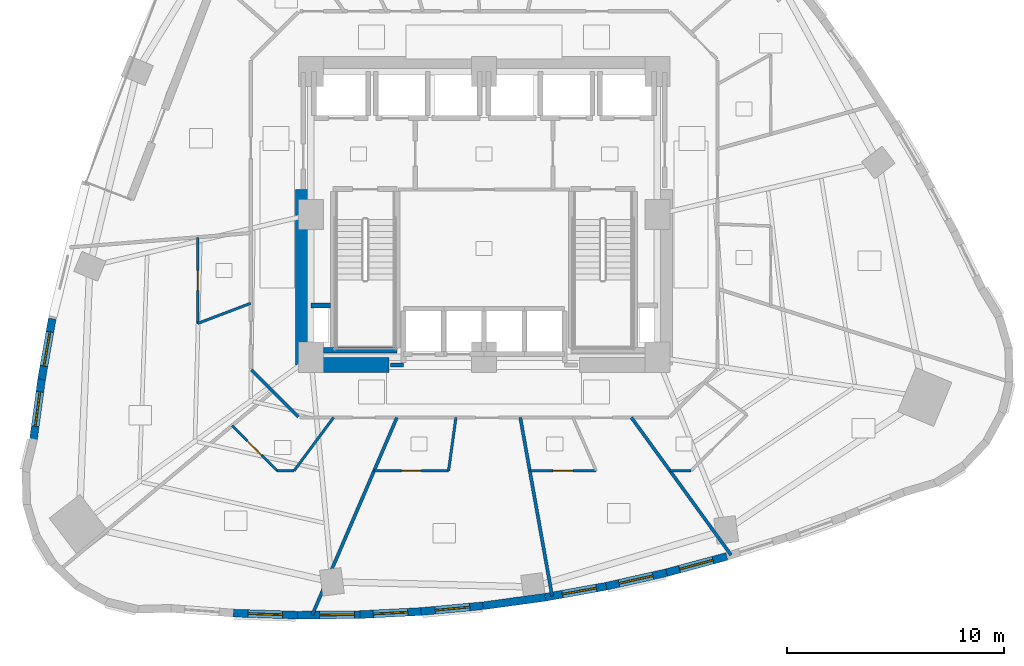
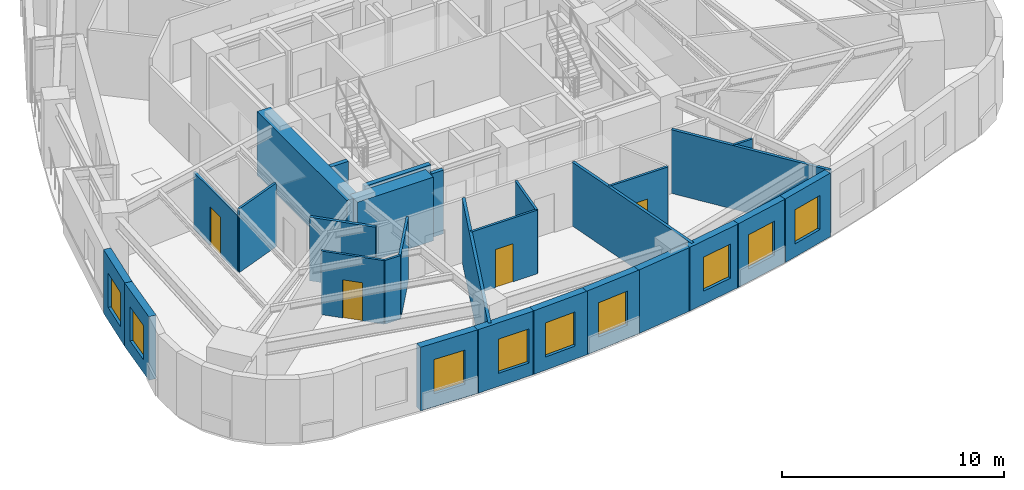
# One storey, part 5 of 12: 28 walls, 9 windows, 4 doors, 13 openings.
"""IFC4 building model written with IfcOpenShell, lengths in metres."""

from ifc_helpers import new_model, si_unit, direction, frame, frame_2d, origin, place, context, subcontext, project, spatial, rectangle, extrude, material, layer, layer_set, type_object, element, fill, save


model = new_model("IFC4")

# Units and contexts
model_context = context("Model", 3, precision=1e-05, world=origin(), true_north=direction((0.0, 1.0)))
body_context = subcontext(model_context, "Body", "Model", "MODEL_VIEW")
ifc_project = project(units=[si_unit("LENGTHUNIT", "METRE"), si_unit("AREAUNIT", "SQUARE_METRE"), si_unit("VOLUMEUNIT", "CUBIC_METRE"), si_unit("PLANEANGLEUNIT", "RADIAN"), si_unit("MASSUNIT", "GRAM", prefix="KILO")], contexts=[model_context])

# Site, building, storey
site_placement = place(None, origin())
site = spatial("IfcSite", under=ifc_project, at=site_placement, CompositionType="ELEMENT")
building_placement = place(site_placement, origin())
building = spatial("IfcBuilding", under=site, at=building_placement, Name="Ndelora Gate Hotel", CompositionType="ELEMENT")
storey_placement = place(building_placement, frame((0.0, 0.0, 60.5)))
storey = spatial("IfcBuildingStorey", under=building, at=storey_placement, Name="L14", CompositionType="ELEMENT", Elevation=60.5)

# Wall, opening, window
ifc_material_1 = material(Name="Clay Brick Masonry", Category="masonry")
ifc_layer_1 = layer(ifc_material_1, 0.360107421875)
ifc_layer_set_1 = layer_set([ifc_layer_1], Name="Clay Brick Masonry")
wall_type_1 = type_object("IfcWallType", Name="WL-BRICK-360", PredefinedType="SOLIDWALL", material=ifc_layer_set_1)
wall_1_placement = place(storey_placement, frame((-20.43359375, -7.6171875, 0.0), z_axis=(0.0, 0.0, 1.0), x_axis=(0.173085595545, 0.984906785749, 0.0)))
wall_1 = element("IfcWall", 1, at=wall_1_placement, inside=storey, type_object=wall_type_1, Name="L14 Tower Brick Pier-and-Spandrel Wall TWR-17", PredefinedType="SOLIDWALL", context=body_context, shape_type="SweptSolid", body=[
    extrude(rectangle(XDim=2.846435546875, YDim=0.360107421875, at=frame_2d((1.42333984375, 0.0))), origin(), (0.0, 0.0, 1.0), 3.5),
])
opening_1_placement = place(wall_1_placement, frame((0.623291015625, 0.0, 0.719970703125)))
opening_1 = element("IfcOpeningElement", 2, at=opening_1_placement, cuts=wall_1, Name="Opening W03", PredefinedType="OPENING", context=body_context, shape_type="SweptSolid", body=[
    extrude(rectangle(XDim=1.60009765625, YDim=1.8798828125, at=frame_2d((0.800048828125, 0.93994140625))), frame((0.0, 0.18994140625, 0.0), z_axis=(0.0, -1.0, 0.0), x_axis=(1.0, 0.0, 0.0)), (0.0, 0.0, 1.0), 0.380126953125),
])
ifc_material_2 = material(Name="Insulated Low-E Double Glazing in Bronze Aluminium Frame", Category="aluminium")
window_type_1 = type_object("IfcWindowType", Name="WN-CORN-2100", PartitioningType="SINGLE_PANEL", PredefinedType="WINDOW", material=ifc_material_2)
window_1_placement = place(opening_1_placement, origin())
window_1 = element("IfcWindow", 3, at=window_1_placement, inside=storey, type_object=window_type_1, Name="L14 Deep-Set Brick-Pier Window W03", OverallHeight=1.8798828125, OverallWidth=1.60009765625, PartitioningType="SINGLE_PANEL", PredefinedType="WINDOW", context=body_context, shape_type="SweptSolid", body=[
    extrude(rectangle(XDim=1.60009765625, YDim=1.8798828125, at=frame_2d((0.800048828125, 0.93994140625))), frame((0.0, 0.030029296875, 0.0), z_axis=(0.0, -1.0, 0.0), x_axis=(1.0, 0.0, 0.0)), (0.0, 0.0, 1.0), 0.06005859375),
])
fill(opening_1, window_1)

wall_2_placement = place(storey_placement, frame((-20.811767578125, -10.411865234375, 0.0), z_axis=(0.0, 0.0, 1.0), x_axis=(0.134391985669, 0.990928248759, 0.0)))
wall_2 = element("IfcWall", 4, at=wall_2_placement, inside=storey, type_object=wall_type_1, Name="L14 Tower Brick Pier-and-Spandrel Wall TWR-18", PredefinedType="SOLIDWALL", context=body_context, shape_type="SweptSolid", body=[
    extrude(rectangle(XDim=2.870361328125, YDim=0.360107421875, at=frame_2d((1.43505859375, 0.0))), origin(), (0.0, 0.0, 1.0), 3.5),
])
opening_2_placement = place(wall_2_placement, frame((0.635009765625, 0.0, 0.719970703125)))
opening_2 = element("IfcOpeningElement", 5, at=opening_2_placement, cuts=wall_2, Name="Opening W01", PredefinedType="OPENING", context=body_context, shape_type="SweptSolid", body=[
    extrude(rectangle(XDim=1.60009765625, YDim=1.8798828125, at=frame_2d((0.800048828125, 0.93994140625))), frame((0.0, 0.18994140625, 0.0), z_axis=(0.0, -1.0, 0.0), x_axis=(1.0, 0.0, 0.0)), (0.0, 0.0, 1.0), 0.380126953125),
])
window_type_2 = type_object("IfcWindowType", Name="WN-DEEP-1600", PartitioningType="SINGLE_PANEL", PredefinedType="WINDOW", material=ifc_material_2)
window_2_placement = place(opening_2_placement, origin())
window_2 = element("IfcWindow", 6, at=window_2_placement, inside=storey, type_object=window_type_2, Name="L14 Deep-Set Brick-Pier Window W01", OverallHeight=1.8798828125, OverallWidth=1.60009765625, PartitioningType="SINGLE_PANEL", PredefinedType="WINDOW", context=body_context, shape_type="SweptSolid", body=[
    extrude(rectangle(XDim=1.60009765625, YDim=1.8798828125, at=frame_2d((0.800048828125, 0.93994140625))), frame((0.0, 0.030029296875, 0.0), z_axis=(0.0, -1.0, 0.0), x_axis=(1.0, 0.0, 0.0)), (0.0, 0.0, 1.0), 0.06005859375),
])
fill(opening_2, window_2)

wall_3_placement = place(storey_placement, frame((-8.622314453125, -18.507568359375, 0.0), z_axis=(0.0, 0.0, 1.0), x_axis=(-0.999456194292, 0.032974470283, 0.0)))
wall_3 = element("IfcWall", 7, at=wall_3_placement, inside=storey, type_object=wall_type_1, Name="L14 Tower Brick Pier-and-Spandrel Wall TWR-28", PredefinedType="SOLIDWALL", context=body_context, shape_type="SweptSolid", body=[
    extrude(rectangle(XDim=2.961669921875, YDim=0.360107421875, at=frame_2d((1.48095703125, 0.0))), origin(), (0.0, 0.0, 1.0), 3.5),
])
opening_3_placement = place(wall_3_placement, frame((0.6806640625, 0.0, 0.719970703125)))
opening_3 = element("IfcOpeningElement", 8, at=opening_3_placement, cuts=wall_3, Name="Opening W01", PredefinedType="OPENING", context=body_context, shape_type="SweptSolid", body=[
    extrude(rectangle(XDim=1.60009765625, YDim=1.8798828125, at=frame_2d((0.800048828125, 0.93994140625))), frame((0.0, 0.18994140625, 0.0), z_axis=(0.0, -1.0, 0.0), x_axis=(1.0, 0.0, 0.0)), (0.0, 0.0, 1.0), 0.380126953125),
])
window_3_placement = place(opening_3_placement, origin())
window_3 = element("IfcWindow", 9, at=window_3_placement, inside=storey, type_object=window_type_2, Name="L14 Deep-Set Brick-Pier Window W01", OverallHeight=1.8798828125, OverallWidth=1.60009765625, PartitioningType="SINGLE_PANEL", PredefinedType="WINDOW", context=body_context, shape_type="SweptSolid", body=[
    extrude(rectangle(XDim=1.60009765625, YDim=1.8798828125, at=frame_2d((0.800048828125, 0.93994140625))), frame((0.0, 0.030029296875, 0.0), z_axis=(0.0, -1.0, 0.0), x_axis=(1.0, 0.0, 0.0)), (0.0, 0.0, 1.0), 0.06005859375),
])
fill(opening_3, window_3)

wall_4_placement = place(storey_placement, frame((-5.731689453125, -18.481689453125, 0.0), z_axis=(0.0, 0.0, 1.0), x_axis=(-0.999962726619, -0.008633966257, 0.0)))
wall_4 = element("IfcWall", 10, at=wall_4_placement, inside=storey, type_object=wall_type_1, Name="L14 Tower Brick Pier-and-Spandrel Wall TWR-29", PredefinedType="SOLIDWALL", context=body_context, shape_type="SweptSolid", body=[
    extrude(rectangle(XDim=2.940673828125, YDim=0.360107421875, at=frame_2d((1.47021484375, 0.0))), origin(), (0.0, 0.0, 1.0), 3.5),
])
opening_4_placement = place(wall_4_placement, frame((0.260009765625, 0.0, 0.719970703125)))
opening_4 = element("IfcOpeningElement", 11, at=opening_4_placement, cuts=wall_4, Name="Opening W03", PredefinedType="OPENING", context=body_context, shape_type="SweptSolid", body=[
    extrude(rectangle(XDim=1.60009765625, YDim=1.8798828125, at=frame_2d((0.800048828125, 0.93994140625))), frame((0.0, 0.18994140625, 0.0), z_axis=(0.0, -1.0, 0.0), x_axis=(1.0, 0.0, 0.0)), (0.0, 0.0, 1.0), 0.380126953125),
])
window_4_placement = place(opening_4_placement, origin())
window_4 = element("IfcWindow", 12, at=window_4_placement, inside=storey, type_object=window_type_1, Name="L14 Deep-Set Brick-Pier Window W03", OverallHeight=1.8798828125, OverallWidth=1.60009765625, PartitioningType="SINGLE_PANEL", PredefinedType="WINDOW", context=body_context, shape_type="SweptSolid", body=[
    extrude(rectangle(XDim=1.60009765625, YDim=1.8798828125, at=frame_2d((0.800048828125, 0.93994140625))), frame((0.0, 0.030029296875, 0.0), z_axis=(0.0, -1.0, 0.0), x_axis=(1.0, 0.0, 0.0)), (0.0, 0.0, 1.0), 0.06005859375),
])
fill(opening_4, window_4)

wall_5_placement = place(storey_placement, frame((-2.860107421875, -18.335205078125, 0.0), z_axis=(0.0, 0.0, 1.0), x_axis=(-0.998716074647, -0.050657696775, 0.0)))
wall_5 = element("IfcWall", 13, at=wall_5_placement, inside=storey, type_object=wall_type_1, Name="L14 Tower Brick Pier-and-Spandrel Wall TWR-30", PredefinedType="SOLIDWALL", context=body_context, shape_type="SweptSolid", body=[
    extrude(rectangle(XDim=2.92529296875, YDim=0.360107421875, at=frame_2d((1.462646484375, 0.0))), origin(), (0.0, 0.0, 1.0), 3.5),
])
opening_5_placement = place(wall_5_placement, frame((0.66259765625, 0.0, 0.719970703125)))
opening_5 = element("IfcOpeningElement", 14, at=opening_5_placement, cuts=wall_5, Name="Opening W01", PredefinedType="OPENING", context=body_context, shape_type="SweptSolid", body=[
    extrude(rectangle(XDim=1.60009765625, YDim=1.8798828125, at=frame_2d((0.800048828125, 0.93994140625))), frame((0.0, 0.18994140625, 0.0), z_axis=(0.0, -1.0, 0.0), x_axis=(1.0, 0.0, 0.0)), (0.0, 0.0, 1.0), 0.380126953125),
])
window_5_placement = place(opening_5_placement, origin())
window_5 = element("IfcWindow", 15, at=window_5_placement, inside=storey, type_object=window_type_2, Name="L14 Deep-Set Brick-Pier Window W01", OverallHeight=1.8798828125, OverallWidth=1.60009765625, PartitioningType="SINGLE_PANEL", PredefinedType="WINDOW", context=body_context, shape_type="SweptSolid", body=[
    extrude(rectangle(XDim=1.60009765625, YDim=1.8798828125, at=frame_2d((0.800048828125, 0.93994140625))), frame((0.0, 0.030029296875, 0.0), z_axis=(0.0, -1.0, 0.0), x_axis=(1.0, 0.0, 0.0)), (0.0, 0.0, 1.0), 0.06005859375),
])
fill(opening_5, window_5)

wall_6_placement = place(storey_placement, frame((-0.0078125, -18.068115234375, 0.0), z_axis=(0.0, 0.0, 1.0), x_axis=(-0.995676208467, -0.092891807453, 0.0)))
wall_6 = element("IfcWall", 16, at=wall_6_placement, inside=storey, type_object=wall_type_1, Name="L14 Tower Brick Pier-and-Spandrel Wall TWR-31", PredefinedType="SOLIDWALL", context=body_context, shape_type="SweptSolid", body=[
    extrude(rectangle(XDim=2.914794921875, YDim=0.360107421875, at=frame_2d((1.45751953125, 0.0))), origin(), (0.0, 0.0, 1.0), 3.5),
])
opening_6_placement = place(wall_6_placement, frame((0.657470703125, 0.0, 0.719970703125)))
opening_6 = element("IfcOpeningElement", 17, at=opening_6_placement, cuts=wall_6, Name="Opening W01", PredefinedType="OPENING", context=body_context, shape_type="SweptSolid", body=[
    extrude(rectangle(XDim=1.60009765625, YDim=1.8798828125, at=frame_2d((0.800048828125, 0.93994140625))), frame((0.0, 0.18994140625, 0.0), z_axis=(0.0, -1.0, 0.0), x_axis=(1.0, 0.0, 0.0)), (0.0, 0.0, 1.0), 0.380126953125),
])
window_6_placement = place(opening_6_placement, origin())
window_6 = element("IfcWindow", 18, at=window_6_placement, inside=storey, type_object=window_type_2, Name="L14 Deep-Set Brick-Pier Window W01", OverallHeight=1.8798828125, OverallWidth=1.60009765625, PartitioningType="SINGLE_PANEL", PredefinedType="WINDOW", context=body_context, shape_type="SweptSolid", body=[
    extrude(rectangle(XDim=1.60009765625, YDim=1.8798828125, at=frame_2d((0.800048828125, 0.93994140625))), frame((0.0, 0.030029296875, 0.0), z_axis=(0.0, -1.0, 0.0), x_axis=(1.0, 0.0, 0.0)), (0.0, 0.0, 1.0), 0.06005859375),
])
fill(opening_6, window_6)

# Wall
wall_7_placement = place(storey_placement, frame((2.82568359375, -17.68017578125, 0.0), z_axis=(0.0, 0.0, 1.0), x_axis=(-0.990811267406, -0.13525173707, 0.0)))
element("IfcWall", 19, at=wall_7_placement, inside=storey, type_object=wall_type_1, Name="L14 Tower Brick Pier-and-Spandrel Wall TWR-32", PredefinedType="SOLIDWALL", context=body_context, shape_type="SweptSolid", body=[
    extrude(rectangle(XDim=2.909912109375, YDim=0.360107421875, at=frame_2d((1.455078125, 0.0))), origin(), (0.0, 0.0, 1.0), 3.5),
])

# Wall, opening, window
wall_8_placement = place(storey_placement, frame((5.6396484375, -17.17138671875, 0.0), z_axis=(0.0, 0.0, 1.0), x_axis=(-0.984113321651, -0.177541460364, 0.0)))
wall_8 = element("IfcWall", 20, at=wall_8_placement, inside=storey, type_object=wall_type_1, Name="L14 Tower Brick Pier-and-Spandrel Wall TWR-33", PredefinedType="SOLIDWALL", context=body_context, shape_type="SweptSolid", body=[
    extrude(rectangle(XDim=2.90966796875, YDim=0.360107421875, at=frame_2d((1.454833984375, 0.0))), origin(), (0.0, 0.0, 1.0), 3.5),
])
opening_7_placement = place(wall_8_placement, frame((0.4599609375, 0.0, 0.719970703125)))
opening_7 = element("IfcOpeningElement", 21, at=opening_7_placement, cuts=wall_8, Name="Opening W03", PredefinedType="OPENING", context=body_context, shape_type="SweptSolid", body=[
    extrude(rectangle(XDim=1.60009765625, YDim=1.8798828125, at=frame_2d((0.800048828125, 0.93994140625))), frame((0.0, 0.18994140625, 0.0), z_axis=(0.0, -1.0, 0.0), x_axis=(1.0, 0.0, 0.0)), (0.0, 0.0, 1.0), 0.380126953125),
])
window_7_placement = place(opening_7_placement, origin())
window_7 = element("IfcWindow", 22, at=window_7_placement, inside=storey, type_object=window_type_1, Name="L14 Deep-Set Brick-Pier Window W03", OverallHeight=1.8798828125, OverallWidth=1.60009765625, PartitioningType="SINGLE_PANEL", PredefinedType="WINDOW", context=body_context, shape_type="SweptSolid", body=[
    extrude(rectangle(XDim=1.60009765625, YDim=1.8798828125, at=frame_2d((0.800048828125, 0.93994140625))), frame((0.0, 0.030029296875, 0.0), z_axis=(0.0, -1.0, 0.0), x_axis=(1.0, 0.0, 0.0)), (0.0, 0.0, 1.0), 0.06005859375),
])
fill(opening_7, window_7)

wall_9_placement = place(storey_placement, frame((8.4345703125, -16.5419921875, 0.0), z_axis=(0.0, 0.0, 1.0), x_axis=(-0.975646064216, -0.219350763343, 0.0)))
wall_9 = element("IfcWall", 23, at=wall_9_placement, inside=storey, type_object=wall_type_1, Name="L14 Tower Brick Pier-and-Spandrel Wall TWR-34", PredefinedType="SOLIDWALL", context=body_context, shape_type="SweptSolid", body=[
    extrude(rectangle(XDim=2.9150390625, YDim=0.360107421875, at=frame_2d((1.45751953125, 0.0))), origin(), (0.0, 0.0, 1.0), 3.5),
])
opening_8_placement = place(wall_9_placement, frame((0.657470703125, 0.0, 0.719970703125)))
opening_8 = element("IfcOpeningElement", 24, at=opening_8_placement, cuts=wall_9, Name="Opening W01", PredefinedType="OPENING", context=body_context, shape_type="SweptSolid", body=[
    extrude(rectangle(XDim=1.60009765625, YDim=1.8798828125, at=frame_2d((0.800048828125, 0.93994140625))), frame((0.0, 0.18994140625, 0.0), z_axis=(0.0, -1.0, 0.0), x_axis=(1.0, 0.0, 0.0)), (0.0, 0.0, 1.0), 0.380126953125),
])
window_8_placement = place(opening_8_placement, origin())
window_8 = element("IfcWindow", 25, at=window_8_placement, inside=storey, type_object=window_type_2, Name="L14 Deep-Set Brick-Pier Window W01", OverallHeight=1.8798828125, OverallWidth=1.60009765625, PartitioningType="SINGLE_PANEL", PredefinedType="WINDOW", context=body_context, shape_type="SweptSolid", body=[
    extrude(rectangle(XDim=1.60009765625, YDim=1.8798828125, at=frame_2d((0.800048828125, 0.93994140625))), frame((0.0, 0.030029296875, 0.0), z_axis=(0.0, -1.0, 0.0), x_axis=(1.0, 0.0, 0.0)), (0.0, 0.0, 1.0), 0.06005859375),
])
fill(opening_8, window_8)

wall_10_placement = place(storey_placement, frame((11.210205078125, -15.7919921875, 0.0), z_axis=(0.0, 0.0, 1.0), x_axis=(-0.965457640719, -0.260560058292, 0.0)))
wall_10 = element("IfcWall", 26, at=wall_10_placement, inside=storey, type_object=wall_type_1, Name="L14 Tower Brick Pier-and-Spandrel Wall TWR-35", PredefinedType="SOLIDWALL", context=body_context, shape_type="SweptSolid", body=[
    extrude(rectangle(XDim=2.92529296875, YDim=0.360107421875, at=frame_2d((1.462646484375, 0.0))), origin(), (0.0, 0.0, 1.0), 3.5),
])
opening_9_placement = place(wall_10_placement, frame((0.66259765625, 0.0, 0.719970703125)))
opening_9 = element("IfcOpeningElement", 27, at=opening_9_placement, cuts=wall_10, Name="Opening W01", PredefinedType="OPENING", context=body_context, shape_type="SweptSolid", body=[
    extrude(rectangle(XDim=1.60009765625, YDim=1.8798828125, at=frame_2d((0.800048828125, 0.93994140625))), frame((0.0, 0.18994140625, 0.0), z_axis=(0.0, -1.0, 0.0), x_axis=(1.0, 0.0, 0.0)), (0.0, 0.0, 1.0), 0.380126953125),
])
window_9_placement = place(opening_9_placement, origin())
window_9 = element("IfcWindow", 28, at=window_9_placement, inside=storey, type_object=window_type_2, Name="L14 Deep-Set Brick-Pier Window W01", OverallHeight=1.8798828125, OverallWidth=1.60009765625, PartitioningType="SINGLE_PANEL", PredefinedType="WINDOW", context=body_context, shape_type="SweptSolid", body=[
    extrude(rectangle(XDim=1.60009765625, YDim=1.8798828125, at=frame_2d((0.800048828125, 0.93994140625))), frame((0.0, 0.030029296875, 0.0), z_axis=(0.0, -1.0, 0.0), x_axis=(1.0, 0.0, 0.0)), (0.0, 0.0, 1.0), 0.06005859375),
])
fill(opening_9, window_9)

# Walls
ifc_material_3 = material(Name="Concrete C60/75", Category="concrete")
ifc_layer_2 = layer(ifc_material_3, 0.699951171875)
ifc_layer_set_2 = layer_set([ifc_layer_2], Name="Concrete C60/75")
wall_type_2 = type_object("IfcWallType", Name="WL-CORE-700", PredefinedType="SHEAR", material=ifc_layer_set_2)
wall_11_placement = place(storey_placement, frame((-8.35009765625, -6.949951171875, 0.0), z_axis=(0.0, 0.0, 1.0), x_axis=(1.0, 0.0, 0.0)))
element("IfcWall", 29, at=wall_11_placement, inside=storey, type_object=wall_type_2, Name="L14 Core Shear Wall S-W", PredefinedType="SHEAR", context=body_context, shape_type="SweptSolid", body=[
    extrude(rectangle(XDim=3.9501953125, YDim=0.699951171875, at=frame_2d((1.97509765625, 0.0))), origin(), (0.0, 0.0, 1.0), 3.5),
])
wall_12_placement = place(storey_placement, frame((-8.35009765625, -6.949951171875, 0.0), z_axis=(0.0, 0.0, 1.0), x_axis=(0.0, 1.0, 0.0)))
element("IfcWall", 30, at=wall_12_placement, inside=storey, type_object=wall_type_2, Name="L14 Core Shear Wall W", PredefinedType="SHEAR", context=body_context, shape_type="SweptSolid", body=[
    extrude(rectangle(XDim=8.099853515625, YDim=0.699951171875, at=frame_2d((4.0498046875, 0.0))), origin(), (0.0, 0.0, 1.0), 3.5),
])
ifc_material_4 = material(Name="Concrete C40/50", Category="concrete")
ifc_layer_3 = layer(ifc_material_4, 0.199951171875)
ifc_layer_set_3 = layer_set([ifc_layer_3], Name="Concrete C40/50")
wall_type_3 = type_object("IfcWallType", Name="WL-FIRE-200", PredefinedType="PARTITIONING", material=ifc_layer_set_3)
wall_13_placement = place(storey_placement, frame((-4.320068359375, -6.949951171875, 0.0), z_axis=(0.0, 0.0, 1.0), x_axis=(1.0, 0.0, 0.0)))
element("IfcWall", 31, at=wall_13_placement, inside=storey, type_object=wall_type_3, Name="L14 Interior Wall IW-2", PredefinedType="PARTITIONING", context=body_context, shape_type="SweptSolid", body=[
    extrude(rectangle(XDim=0.60009765625, YDim=0.199951171875, at=frame_2d((0.300048828125, 0.0))), origin(), (0.0, 0.0, 1.0), 3.5),
])
ifc_material_5 = material(Name="Fire-Rated Gypsum Stud Partition", Category="gypsum")
ifc_layer_4 = layer(ifc_material_5, 0.14990234375)
ifc_layer_set_4 = layer_set([ifc_layer_4], Name="Fire-Rated Gypsum Stud Partition")
wall_type_4 = type_object("IfcWallType", Name="WL-PART-150", PredefinedType="PARTITIONING", material=ifc_layer_set_4)
wall_14_placement = place(storey_placement, frame((-8.578369140625, -9.351806640625, 0.0), z_axis=(0.0, 0.0, 1.0), x_axis=(-0.707067066127, 0.707146494016, 0.0)))
element("IfcWall", 32, at=wall_14_placement, inside=storey, type_object=wall_type_4, Name="L14 Interior Wall IW-5", PredefinedType="PARTITIONING", context=body_context, shape_type="SweptSolid", body=[
    extrude(rectangle(XDim=3.07373046875, YDim=0.14990234375, at=frame_2d((1.536865234375, 0.0))), origin(), (0.0, 0.0, 1.0), 3.5),
])
wall_15_placement = place(storey_placement, frame((-4.024658203125, -9.3798828125, 0.0), z_axis=(0.0, 0.0, 1.0), x_axis=(-0.394293336578, -0.918984637919, 0.0)))
element("IfcWall", 33, at=wall_15_placement, inside=storey, type_object=wall_type_4, Name="L14 Interior Wall IW-5", PredefinedType="PARTITIONING", context=body_context, shape_type="SweptSolid", body=[
    extrude(rectangle(XDim=9.9248046875, YDim=0.14990234375, at=frame_2d((4.96240234375, 0.0))), origin(), (0.0, 0.0, 1.0), 3.5),
])
wall_16_placement = place(storey_placement, frame((1.672607421875, -9.3798828125, 0.0), z_axis=(0.0, 0.0, 1.0), x_axis=(0.175581709481, -0.984464861382, 0.0)))
element("IfcWall", 34, at=wall_16_placement, inside=storey, type_object=wall_type_4, Name="L14 Interior Wall IW-5", PredefinedType="PARTITIONING", context=body_context, shape_type="SweptSolid", body=[
    extrude(rectangle(XDim=8.3720703125, YDim=0.14990234375, at=frame_2d((4.18603515625, 0.0))), origin(), (0.0, 0.0, 1.0), 3.5),
])
wall_17_placement = place(storey_placement, frame((6.802490234375, -9.3798828125, 0.0), z_axis=(0.0, 0.0, 1.0), x_axis=(0.587042045372, -0.809556444583, 0.0)))
element("IfcWall", 35, at=wall_17_placement, inside=storey, type_object=wall_type_4, Name="L14 Interior Wall IW-5", PredefinedType="PARTITIONING", context=body_context, shape_type="SweptSolid", body=[
    extrude(rectangle(XDim=7.8427734375, YDim=0.14990234375, at=frame_2d((3.92138671875, 0.0))), origin(), (0.0, 0.0, 1.0), 3.5),
])
ifc_layer_5 = layer(ifc_material_4, 0.219970703125)
ifc_layer_set_5 = layer_set([ifc_layer_5], Name="Concrete C40/50")
wall_type_5 = type_object("IfcWallType", Name="WL-SHAFT-220", PredefinedType="PARTITIONING", material=ifc_layer_set_5)
wall_18_placement = place(storey_placement, frame((-8.0, -4.199951171875, 0.0), z_axis=(0.0, 0.0, 1.0), x_axis=(1.0, 0.0, 0.0)))
element("IfcWall", 36, at=wall_18_placement, inside=storey, type_object=wall_type_5, Name="L14 Interior Wall IW-1", PredefinedType="PARTITIONING", context=body_context, shape_type="SweptSolid", body=[
    extrude(rectangle(XDim=0.909912109375, YDim=0.219970703125, at=frame_2d((0.455078125, 0.0))), origin(), (0.0, 0.0, 1.0), 3.5),
])
ifc_material_6 = material(Name="Concrete C50/60", Category="concrete")
ifc_layer_6 = layer(ifc_material_6, 0.239990234375)
ifc_layer_set_6 = layer_set([ifc_layer_6], Name="Concrete C50/60")
wall_type_6 = type_object("IfcWallType", Name="WL-STAIR-240", PredefinedType="SHEAR", material=ifc_layer_set_6)
wall_19_placement = place(storey_placement, frame((-7.425048828125, -6.27001953125, 0.0), z_axis=(0.0, 0.0, 1.0), x_axis=(1.0, 0.0, 0.0)))
element("IfcWall", 37, at=wall_19_placement, inside=storey, type_object=wall_type_6, Name="L14 Stair Core Shear Wall SW-ST", PredefinedType="SHEAR", context=body_context, shape_type="SweptSolid", body=[
    extrude(rectangle(XDim=3.4150390625, YDim=0.239990234375, at=frame_2d((1.70751953125, 0.0))), origin(), (0.0, 0.0, 1.0), 3.5),
])
ifc_material_7 = material(Name="Moisture-Resistant Bathroom Tile Partition", Category="gypsum")
ifc_layer_7 = layer(ifc_material_7, 0.1201171875)
ifc_layer_set_7 = layer_set([ifc_layer_7], Name="Moisture-Resistant Bathroom Tile Partition")
wall_type_7 = type_object("IfcWallType", Name="WL-WET-120", PredefinedType="PARTITIONING", material=ifc_layer_set_7)
wall_20_placement = place(storey_placement, frame((-10.780029296875, -4.103515625, 0.0), z_axis=(0.0, 0.0, 1.0), x_axis=(-0.93460718983, -0.355681600195, 0.0)))
element("IfcWall", 38, at=wall_20_placement, inside=storey, type_object=wall_type_7, Name="L14 Interior Wall IW-7", PredefinedType="PARTITIONING", context=body_context, shape_type="SweptSolid", body=[
    extrude(rectangle(XDim=2.621337890625, YDim=0.1201171875, at=frame_2d((1.310546875, 0.0))), origin(), (0.0, 0.0, 1.0), 3.5),
])

# Wall, opening, door
wall_21_placement = place(storey_placement, frame((-13.22998046875, -5.035888671875, 0.0), z_axis=(0.0, 0.0, 1.0), x_axis=(0.0, 1.0, 0.0)))
wall_21 = element("IfcWall", 39, at=wall_21_placement, inside=storey, type_object=wall_type_7, Name="L14 Interior Wall IW-7", PredefinedType="PARTITIONING", context=body_context, shape_type="SweptSolid", body=[
    extrude(rectangle(XDim=3.981689453125, YDim=0.1201171875, at=frame_2d((1.99072265625, 0.0))), origin(), (0.0, 0.0, 1.0), 3.1201171875),
])
opening_10_placement = place(wall_21_placement, frame((1.531005859375, 0.0, 0.0)))
opening_10 = element("IfcOpeningElement", 40, at=opening_10_placement, cuts=wall_21, Name="Opening D03", PredefinedType="OPENING", context=body_context, shape_type="SweptSolid", body=[
    extrude(rectangle(XDim=0.919921875, YDim=2.10009765625, at=frame_2d((0.4599609375, 1.050048828125))), frame((0.0, 0.070068359375, 0.0), z_axis=(0.0, -1.0, 0.0), x_axis=(1.0, 0.0, 0.0)), (0.0, 0.0, 1.0), 0.14013671875),
])
ifc_material_8 = material(Name="Moisture-Resistant Hardwood En-Suite Door", Category="wood")
door_type = type_object("IfcDoorType", Name="DR-BATH-920", OperationType="SINGLE_SWING_LEFT", PredefinedType="DOOR", material=ifc_material_8)
door_1_placement = place(opening_10_placement, origin())
door_1 = element("IfcDoor", 41, at=door_1_placement, inside=storey, type_object=door_type, Name="L14 En-suite Bathroom 1701 Door", OperationType="SINGLE_SWING_RIGHT", OverallHeight=2.10009765625, OverallWidth=0.919921875, PredefinedType="DOOR", context=body_context, shape_type="SweptSolid", body=[
    extrude(rectangle(XDim=0.919921875, YDim=2.10009765625, at=frame_2d((0.4599609375, 1.050048828125))), frame((0.0, 0.02490234375, 0.0), z_axis=(0.0, -1.0, 0.0), x_axis=(1.0, 0.0, 0.0)), (0.0, 0.0, 1.0), 0.050048828125),
])
fill(opening_10, door_1)

# Walls
wall_22_placement = place(storey_placement, frame((-8.76806640625, -11.830078125, 0.0), z_axis=(0.0, 0.0, 1.0), x_axis=(0.595378789074, 0.80344514282, 0.0)))
element("IfcWall", 42, at=wall_22_placement, inside=storey, type_object=wall_type_7, Name="L14 Interior Wall IW-7", PredefinedType="PARTITIONING", context=body_context, shape_type="SweptSolid", body=[
    extrude(rectangle(XDim=3.049560546875, YDim=0.1201171875, at=frame_2d((1.52490234375, 0.0))), origin(), (0.0, 0.0, 1.0), 3.5),
])
wall_23_placement = place(storey_placement, frame((-8.76806640625, -11.830078125, 0.0), z_axis=(0.0, 0.0, 1.0), x_axis=(-1.0, 0.0, 0.0)))
element("IfcWall", 43, at=wall_23_placement, inside=storey, type_object=wall_type_7, Name="L14 Interior Wall IW-7", PredefinedType="PARTITIONING", context=body_context, shape_type="SweptSolid", body=[
    extrude(rectangle(XDim=0.796630859375, YDim=0.1201171875, at=frame_2d((0.3984375, 0.0))), origin(), (0.0, 0.0, 1.0), 3.5),
])

# Wall, opening, door
wall_24_placement = place(storey_placement, frame((-9.564697265625, -11.830078125, 0.0), z_axis=(0.0, 0.0, 1.0), x_axis=(-0.707106781187, 0.707106781187, 0.0)))
wall_24 = element("IfcWall", 44, at=wall_24_placement, inside=storey, type_object=wall_type_7, Name="L14 Interior Wall IW-7", PredefinedType="PARTITIONING", context=body_context, shape_type="SweptSolid", body=[
    extrude(rectangle(XDim=2.9375, YDim=0.1201171875, at=frame_2d((1.46875, 0.0))), origin(), (0.0, 0.0, 1.0), 3.5),
])
opening_11_placement = place(wall_24_placement, frame((1.0087890625, 0.0, 0.0)))
opening_11 = element("IfcOpeningElement", 45, at=opening_11_placement, cuts=wall_24, Name="Opening D03", PredefinedType="OPENING", context=body_context, shape_type="SweptSolid", body=[
    extrude(rectangle(XDim=0.919921875, YDim=2.10009765625, at=frame_2d((0.4599609375, 1.050048828125))), frame((0.0, 0.070068359375, 0.0), z_axis=(0.0, -1.0, 0.0), x_axis=(1.0, 0.0, 0.0)), (0.0, 0.0, 1.0), 0.14013671875),
])
door_2_placement = place(opening_11_placement, origin())
door_2 = element("IfcDoor", 46, at=door_2_placement, inside=storey, type_object=door_type, Name="L14 En-suite Bathroom 1702 Door", OperationType="SINGLE_SWING_LEFT", OverallHeight=2.10009765625, OverallWidth=0.919921875, PredefinedType="DOOR", context=body_context, shape_type="SweptSolid", body=[
    extrude(rectangle(XDim=0.919921875, YDim=2.10009765625, at=frame_2d((0.4599609375, 1.050048828125))), frame((0.0, 0.02490234375, 0.0), z_axis=(0.0, -1.0, 0.0), x_axis=(1.0, 0.0, 0.0)), (0.0, 0.0, 1.0), 0.050048828125),
])
fill(opening_11, door_2)

# Wall
wall_25_placement = place(storey_placement, frame((-1.2998046875, -9.3798828125, 0.0), z_axis=(0.0, 0.0, 1.0), x_axis=(-0.137191795374, -0.990544502424, 0.0)))
element("IfcWall", 47, at=wall_25_placement, inside=storey, type_object=wall_type_7, Name="L14 Interior Wall IW-7", PredefinedType="PARTITIONING", context=body_context, shape_type="SweptSolid", body=[
    extrude(rectangle(XDim=2.4736328125, YDim=0.1201171875, at=frame_2d((1.23681640625, 0.0))), origin(), (0.0, 0.0, 1.0), 3.5),
])

# Wall, opening, door
wall_26_placement = place(storey_placement, frame((-1.63916015625, -11.830078125, 0.0), z_axis=(0.0, 0.0, 1.0), x_axis=(-1.0, 0.0, 0.0)))
wall_26 = element("IfcWall", 48, at=wall_26_placement, inside=storey, type_object=wall_type_7, Name="L14 Interior Wall IW-7", PredefinedType="PARTITIONING", context=body_context, shape_type="SweptSolid", body=[
    extrude(rectangle(XDim=3.4365234375, YDim=0.1201171875, at=frame_2d((1.71826171875, 0.0))), origin(), (0.0, 0.0, 1.0), 3.5),
])
opening_12_placement = place(wall_26_placement, frame((1.25830078125, 0.0, 0.0)))
opening_12 = element("IfcOpeningElement", 49, at=opening_12_placement, cuts=wall_26, Name="Opening D03", PredefinedType="OPENING", context=body_context, shape_type="SweptSolid", body=[
    extrude(rectangle(XDim=0.919921875, YDim=2.10009765625, at=frame_2d((0.4599609375, 1.050048828125))), frame((0.0, 0.070068359375, 0.0), z_axis=(0.0, -1.0, 0.0), x_axis=(1.0, 0.0, 0.0)), (0.0, 0.0, 1.0), 0.14013671875),
])
door_3_placement = place(opening_12_placement, origin())
door_3 = element("IfcDoor", 50, at=door_3_placement, inside=storey, type_object=door_type, Name="L14 En-suite Bathroom 1703 Door", OperationType="SINGLE_SWING_RIGHT", OverallHeight=2.10009765625, OverallWidth=0.919921875, PredefinedType="DOOR", context=body_context, shape_type="SweptSolid", body=[
    extrude(rectangle(XDim=0.919921875, YDim=2.10009765625, at=frame_2d((0.4599609375, 1.050048828125))), frame((0.0, 0.02490234375, 0.0), z_axis=(0.0, -1.0, 0.0), x_axis=(1.0, 0.0, 0.0)), (0.0, 0.0, 1.0), 0.050048828125),
])
fill(opening_12, door_3)

wall_27_placement = place(storey_placement, frame((5.171142578125, -11.830078125, 0.0), z_axis=(0.0, 0.0, 1.0), x_axis=(-1.0, 0.0, 0.0)))
wall_27 = element("IfcWall", 51, at=wall_27_placement, inside=storey, type_object=wall_type_7, Name="L14 Interior Wall IW-7", PredefinedType="PARTITIONING", context=body_context, shape_type="SweptSolid", body=[
    extrude(rectangle(XDim=3.0615234375, YDim=0.1201171875, at=frame_2d((1.53076171875, 0.0))), origin(), (0.0, 0.0, 1.0), 3.5),
])
opening_13_placement = place(wall_27_placement, frame((1.07080078125, 0.0, 0.0)))
opening_13 = element("IfcOpeningElement", 52, at=opening_13_placement, cuts=wall_27, Name="Opening D03", PredefinedType="OPENING", context=body_context, shape_type="SweptSolid", body=[
    extrude(rectangle(XDim=0.919921875, YDim=2.10009765625, at=frame_2d((0.4599609375, 1.050048828125))), frame((0.0, 0.070068359375, 0.0), z_axis=(0.0, -1.0, 0.0), x_axis=(1.0, 0.0, 0.0)), (0.0, 0.0, 1.0), 0.14013671875),
])
door_4_placement = place(opening_13_placement, origin())
door_4 = element("IfcDoor", 53, at=door_4_placement, inside=storey, type_object=door_type, Name="L14 En-suite Bathroom 1704 Door", OperationType="SINGLE_SWING_LEFT", OverallHeight=2.10009765625, OverallWidth=0.919921875, PredefinedType="DOOR", context=body_context, shape_type="SweptSolid", body=[
    extrude(rectangle(XDim=0.919921875, YDim=2.10009765625, at=frame_2d((0.4599609375, 1.050048828125))), frame((0.0, 0.02490234375, 0.0), z_axis=(0.0, -1.0, 0.0), x_axis=(1.0, 0.0, 0.0)), (0.0, 0.0, 1.0), 0.050048828125),
])
fill(opening_13, door_4)

# Wall
wall_28_placement = place(storey_placement, frame((8.5791015625, -11.830078125, 0.0), z_axis=(0.0, 0.0, 1.0), x_axis=(1.0, 0.0, 0.0)))
element("IfcWall", 54, at=wall_28_placement, inside=storey, type_object=wall_type_7, Name="L14 Interior Wall IW-7", PredefinedType="PARTITIONING", context=body_context, shape_type="SweptSolid", body=[
    extrude(rectangle(XDim=0.985595703125, YDim=0.1201171875, at=frame_2d((0.49267578125, 0.0))), origin(), (0.0, 0.0, 1.0), 3.5),
])

save(model, "model.ifc")
